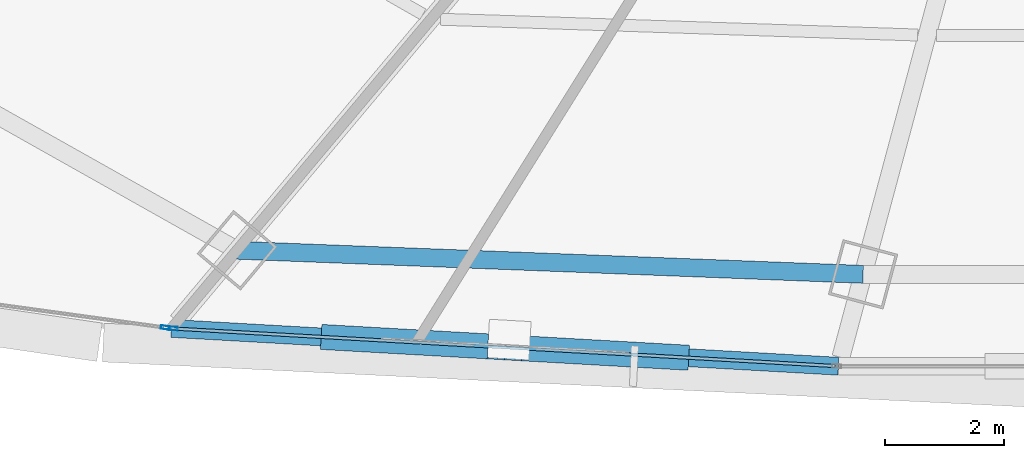
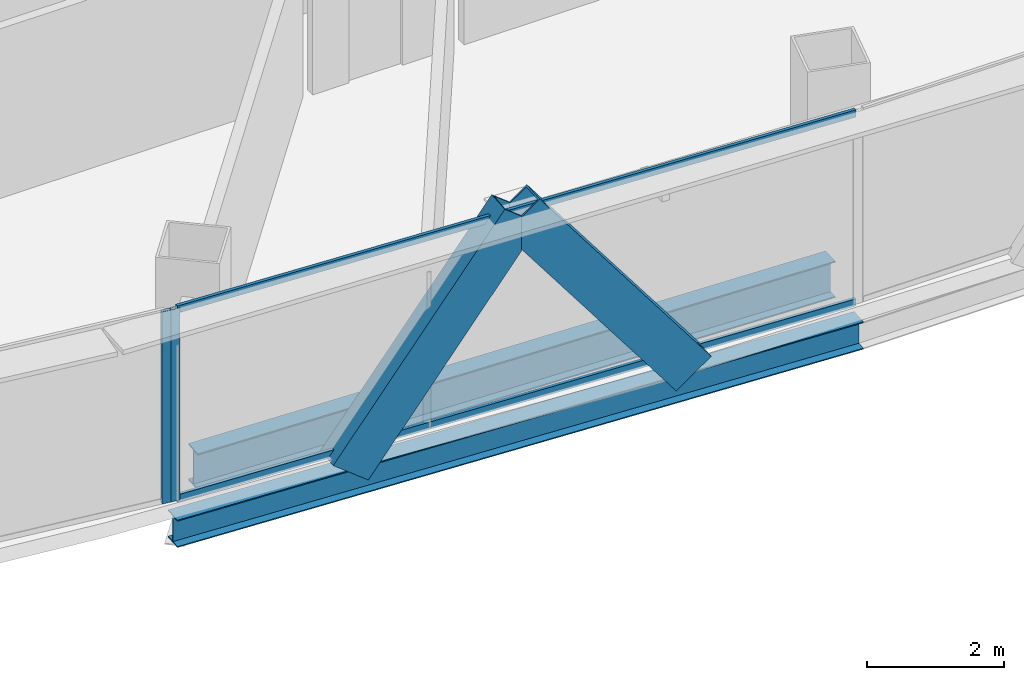
# One storey, part 6 of 39: 6 members, 2 beams, 2 elements without a shape of their own.
"""IFC4 building model written with IfcOpenShell, lengths in metres."""

import ifcopenshell
import ifcopenshell.guid

model = None  # the IFC model being written
_history = None  # IfcOwnerHistory: only IFC2X3 demands one
_inside = {}  # id of a spatial element -> (the spatial element, [elements in it])
_under = {}  # id of a project, library or spatial element -> (it, [spatial elements below it])
_declared = {}  # id of a project -> (the project, [libraries it declares])
_typed = {}  # id of a type object -> (the type object, [elements of that type])
_made_of = {}  # id of a material, layer set ... -> (it, [elements and type objects made of it])


def new_model(schema):
    """Start an empty IFC model of exactly this schema.

    Asked for "IFC4X3", IfcOpenShell would pick the latest addendum, in which some entities
    have other attributes; the version numbers below select the first issue.
    IFC2X3 requires an IfcOwnerHistory on every rooted entity: one is made here for all.
    """
    global model, _history
    if schema == "IFC4X3":
        model = ifcopenshell.file(schema_version=(4, 3, 0, 0))
    else:
        model = ifcopenshell.file(schema=schema)
    _inside.clear()
    _under.clear()
    _declared.clear()
    _typed.clear()
    _made_of.clear()
    _history = None
    if model.schema == "IFC2X3":
        org = make("IfcOrganization", Name="unknown")
        user = make(
            "IfcPersonAndOrganization",
            ThePerson=make("IfcPerson", FamilyName="unknown"),
            TheOrganization=org,
        )
        app = make(
            "IfcApplication",
            ApplicationDeveloper=org,
            Version="unknown",
            ApplicationFullName="unknown",
            ApplicationIdentifier="unknown",
        )
        _history = make(
            "IfcOwnerHistory",
            OwningUser=user,
            OwningApplication=app,
            ChangeAction="ADDED",
            CreationDate=0,
        )
    return model


def make(cls, **values):
    """One entity of the class cls with the attributes given. An attribute that is None is left unset."""
    return model.create_entity(
        cls, **{name: value for name, value in values.items() if value is not None}
    )


def rooted(cls, **values):
    """An entity with a GlobalId (a new one), such as an element, a storey or a relation."""
    return make(cls, GlobalId=ifcopenshell.guid.new(), OwnerHistory=_history, **values)


def si_unit(unit_type, name, prefix=None):
    """IfcSIUnit, for example si_unit("LENGTHUNIT", "METRE", prefix="MILLI")."""
    return make("IfcSIUnit", UnitType=unit_type, Prefix=prefix, Name=name)


def assignment(units):
    """IfcUnitAssignment: the units of a project."""
    return None if units is None else make("IfcUnitAssignment", Units=units)


def point(xyz):
    """IfcCartesianPoint."""
    return None if xyz is None else make("IfcCartesianPoint", Coordinates=xyz)


def direction(xyz):
    """IfcDirection."""
    return None if xyz is None else make("IfcDirection", DirectionRatios=xyz)


def frame(location, z_axis=None, x_axis=None):
    """IfcAxis2Placement3D, a coordinate frame: its origin and axes. An axis left out is left unset."""
    return make(
        "IfcAxis2Placement3D",
        Location=point(location),
        Axis=direction(z_axis),
        RefDirection=direction(x_axis),
    )


def frame_2d(location, x_axis=None):
    """IfcAxis2Placement2D, a coordinate frame in the plane: its origin and x axis."""
    return make(
        "IfcAxis2Placement2D", Location=point(location), RefDirection=direction(x_axis)
    )


def origin():
    """The frame at (0, 0, 0) with its axes left unset."""
    return frame((0.0, 0.0, 0.0))


def origin_2d():
    """The frame at (0, 0) in the plane with its x axis left unset."""
    return frame_2d((0.0, 0.0))


def place(relative_to, where):
    """IfcLocalPlacement: puts the frame where relative to a parent placement (None: the world)."""
    return make(
        "IfcLocalPlacement", PlacementRelTo=relative_to, RelativePlacement=where
    )


def context(
    kind, dimensions, precision=None, world=None, true_north=None, identifier=None
):
    """IfcGeometricRepresentationContext, for example the 3D "Model" context."""
    return make(
        "IfcGeometricRepresentationContext",
        ContextIdentifier=identifier,
        ContextType=kind,
        CoordinateSpaceDimension=dimensions,
        Precision=precision,
        WorldCoordinateSystem=world,
        TrueNorth=true_north,
    )


def subcontext(parent, identifier, kind, view, scale=None):
    """IfcGeometricRepresentationSubContext, for example "Body" below "Model"."""
    return make(
        "IfcGeometricRepresentationSubContext",
        ContextIdentifier=identifier,
        ContextType=kind,
        ParentContext=parent,
        TargetScale=scale,
        TargetView=view,
    )


def project(units=None, contexts=None):
    """IfcProject with its units and contexts."""
    return rooted(
        "IfcProject",
        Name="project",
        RepresentationContexts=contexts,
        UnitsInContext=assignment(units),
    )


def spatial(cls, under=None, at=None, **own):
    """A site, building, storey or space (cls), placed at a placement, below another one or the project."""
    s = rooted(cls, ObjectPlacement=at, **own)
    if under is not None:
        _under.setdefault(under.id(), (under, []))[1].append(s)
    return s


def profile(cls, at=None, kind="AREA", **sizes):
    """A parametric profile (cls). Its sizes go by their IFC names, for example OverallWidth=200.0."""
    return make(cls, ProfileType=kind, Position=at, **sizes)


def hollow_rectangle(**sizes):
    """IfcRectangleHollowProfileDef."""
    return profile("IfcRectangleHollowProfileDef", **sizes)


def i_section(**sizes):
    """IfcIShapeProfileDef."""
    return profile("IfcIShapeProfileDef", **sizes)


def extrude(swept, where, along, depth):
    """IfcExtrudedAreaSolid: the profile swept, set in the frame where, extruded along a direction by depth."""
    return make(
        "IfcExtrudedAreaSolid",
        SweptArea=swept,
        Position=where,
        ExtrudedDirection=direction(along),
        Depth=depth,
    )


def shape(context_of_items, identifier, shape_type, items):
    """IfcShapeRepresentation: the items that make up one representation, for example the "Body"."""
    return make(
        "IfcShapeRepresentation",
        ContextOfItems=context_of_items,
        RepresentationIdentifier=identifier,
        RepresentationType=shape_type,
        Items=items,
    )


def source(mapping_origin, context_of_items, identifier, shape_type, items):
    """IfcRepresentationMap: a shape defined once, which mapped items show again and again."""
    return make(
        "IfcRepresentationMap",
        MappingOrigin=mapping_origin,
        MappedRepresentation=shape(context_of_items, identifier, shape_type, items),
    )


def transform(
    local_origin,
    x_axis=None,
    y_axis=None,
    z_axis=None,
    scale=None,
    scale2=None,
    scale3=None,
    uniform=True,
):
    """IfcCartesianTransformationOperator3D, or its non-uniform kind. x_axis, y_axis, z_axis: its Axis1, 2, 3."""
    if uniform:
        return make(
            "IfcCartesianTransformationOperator3D",
            Axis1=direction(x_axis),
            Axis2=direction(y_axis),
            LocalOrigin=point(local_origin),
            Scale=scale,
            Axis3=direction(z_axis),
        )
    return make(
        "IfcCartesianTransformationOperator3DnonUniform",
        Axis1=direction(x_axis),
        Axis2=direction(y_axis),
        LocalOrigin=point(local_origin),
        Scale=scale,
        Axis3=direction(z_axis),
        Scale2=scale2,
        Scale3=scale3,
    )


def mapped(mapping_source, mapping_target):
    """IfcMappedItem: shows the shape of a source again, moved by a transform."""
    return make(
        "IfcMappedItem", MappingSource=mapping_source, MappingTarget=mapping_target
    )


def material(Name=None, Category=None):
    """IfcMaterial."""
    return make("IfcMaterial", Name=Name, Category=Category)


def layer(
    of_material, thickness, ventilated=None, Name=None, Category=None, Priority=None
):
    """IfcMaterialLayer: one layer of a wall or slab, of a material (None: an air gap)."""
    return make(
        "IfcMaterialLayer",
        Material=of_material,
        LayerThickness=thickness,
        IsVentilated=ventilated,
        Name=Name,
        Category=Category,
        Priority=Priority,
    )


def layer_set(layers, Name=None):
    """IfcMaterialLayerSet."""
    return make("IfcMaterialLayerSet", MaterialLayers=layers, LayerSetName=Name)


def material_profile(
    of_material, cross_section, Name=None, Category=None, Priority=None
):
    """IfcMaterialProfile: a cross section and its material."""
    return make(
        "IfcMaterialProfile",
        Name=Name,
        Material=of_material,
        Profile=cross_section,
        Priority=Priority,
        Category=Category,
    )


def profile_set(profiles, Name=None, composite=None):
    """IfcMaterialProfileSet."""
    return make(
        "IfcMaterialProfileSet",
        Name=Name,
        MaterialProfiles=profiles,
        CompositeProfile=composite,
    )


def made_of(thing, what):
    """Note that an element or type object is made of a material, layer set ...; save() writes the relation."""
    if what is not None:
        _made_of.setdefault(what.id(), (what, []))[1].append(thing)
    return thing


def type_object(cls, material=None, **own):
    """A type object (cls), such as IfcWallType, which elements share."""
    return made_of(rooted(cls, **own), material)


def element(
    cls,
    number,
    at=None,
    inside=None,
    cuts=None,
    type_object=None,
    material=None,
    context=None,
    identifier="Body",
    shape_type=None,
    held_by="IfcProductDefinitionShape",
    body=None,
    shapes=None,
    **own,
):
    """One element of the class cls, such as IfcWall. Its Tag is "e" and its number.

    at: its placement. inside: the storey or other place that contains it. cuts: it is an
    opening in that element (IfcRelVoidsElement). A single representation is given by context,
    identifier, shape_type and body (its items); several are given by shapes. held_by: the class
    of the entity that holds the representations. save() writes the other relations.
    """
    e = rooted(cls, Tag="e%d" % number, ObjectPlacement=at, **own)
    if body is not None:
        shapes = [shape(context, identifier, shape_type, body)]
    if shapes is not None:
        e.Representation = make(held_by, Representations=shapes)
    if inside is not None:
        _inside.setdefault(inside.id(), (inside, []))[1].append(e)
    if cuts is not None:
        rooted(
            "IfcRelVoidsElement", RelatingBuildingElement=cuts, RelatedOpeningElement=e
        )
    if type_object is not None:
        _typed.setdefault(type_object.id(), (type_object, []))[1].append(e)
    return made_of(e, material)


def aggregate(whole, parts):
    """IfcRelAggregates: a whole, such as a stair, and the parts it consists of."""
    return rooted("IfcRelAggregates", RelatingObject=whole, RelatedObjects=parts)


def save(model, path):
    """Write the relations noted so far, then the file.

    IfcRelAggregates (storeys below a building ...), IfcRelContainedInSpatialStructure (elements
    in a storey), IfcRelDefinesByType, IfcRelAssociatesMaterial and IfcRelDeclares: one each for
    every whole, place, type object, material and project.
    """
    for whole, parts in _under.values():
        aggregate(whole, parts)
    for where, things in _inside.values():
        rooted(
            "IfcRelContainedInSpatialStructure",
            RelatedElements=things,
            RelatingStructure=where,
        )
    for kind, things in _typed.values():
        rooted("IfcRelDefinesByType", RelatedObjects=things, RelatingType=kind)
    for what, things in _made_of.values():
        rooted("IfcRelAssociatesMaterial", RelatedObjects=things, RelatingMaterial=what)
    for by, libraries in _declared.values():
        rooted("IfcRelDeclares", RelatingContext=by, RelatedDefinitions=libraries)
    model.write(path)


model = new_model("IFC4")

# Units and contexts
model_context = context("Model", 3, precision=1e-05, world=origin(), true_north=direction((0.0, 1.0)))
body_context = subcontext(model_context, "Body", "Model", "MODEL_VIEW")
ifc_project = project(units=[si_unit("LENGTHUNIT", "METRE"), si_unit("AREAUNIT", "SQUARE_METRE"), si_unit("VOLUMEUNIT", "CUBIC_METRE"), si_unit("PLANEANGLEUNIT", "RADIAN"), si_unit("MASSUNIT", "GRAM", prefix="KILO"), si_unit("THERMODYNAMICTEMPERATUREUNIT", "KELVIN"), si_unit("POWERUNIT", "WATT")], contexts=[model_context])

# Site, building, storey
site_placement = place(None, origin())
site = spatial("IfcSite", under=ifc_project, at=site_placement, CompositionType="ELEMENT")
building_placement = place(site_placement, origin())
building = spatial("IfcBuilding", under=site, at=building_placement, Name="Yunzhuo Pagoda Commons", CompositionType="ELEMENT")
storey_placement = place(building_placement, frame((0.0, 0.0, 148.22998046875)))
storey = spatial("IfcBuildingStorey", under=building, at=storey_placement, Name="L37", CompositionType="ELEMENT", Elevation=148.22998046875)

# Beams
ifc_material_1 = material(Name="Structural steel Q355B", Category="steel")
ifc_material_profile_1 = material_profile(ifc_material_1, i_section(OverallWidth=0.300048828125, OverallDepth=0.64990234375, WebThickness=0.012939453125, FlangeThickness=0.02197265625, at=origin_2d()), Name="Structural steel Q355B")
ifc_profile_set_1 = profile_set([ifc_material_profile_1], Name="Structural steel Q355B")
beam_type_1 = type_object("IfcBeamType", Name="B-RG2 Beam HN 650x300x13x22", PredefinedType="BEAM", material=ifc_profile_set_1)
shared_shape_1 = source(origin(), body_context, "Body", "SweptSolid", [
    extrude(i_section(OverallWidth=0.300048828125, OverallDepth=0.64990234375, WebThickness=0.012939453125, FlangeThickness=0.02197265625, at=origin_2d()), origin(), (0.0, 0.0, 1.0), 10.5078125),
])
beam_1_placement = place(storey_placement, frame((32.414794921875, 15.126220703125, -0.584716796875), z_axis=(0.999258632812, -0.03849915259, 0.0), x_axis=(0.03849915259, 0.999258632812, 0.0)))
element("IfcBeam", 1, at=beam_1_placement, inside=storey, type_object=beam_type_1, Name="L37 column-ring beam 1", PredefinedType="BEAM", context=body_context, shape_type="MappedRepresentation", body=[
    mapped(shared_shape_1, transform((0.0, 0.0, 0.0), scale=1.0)),
])
ifc_material_profile_2 = material_profile(ifc_material_1, i_section(OverallWidth=0.300048828125, OverallDepth=0.488037109375, WebThickness=0.010986328125, FlangeThickness=0.01806640625, at=origin_2d()), Name="Structural steel Q355B")
ifc_profile_set_2 = profile_set([ifc_material_profile_2], Name="Structural steel Q355B")
beam_type_2 = type_object("IfcBeamType", Name="B-SP1 Beam HM 488x300x11x18", PredefinedType="BEAM", material=ifc_profile_set_2)
shared_shape_2 = source(origin(), body_context, "Body", "SweptSolid", [
    extrude(i_section(OverallWidth=0.300048828125, OverallDepth=0.488037109375, WebThickness=0.010986328125, FlangeThickness=0.01806640625, at=origin_2d()), origin(), (0.0, 0.0, 1.0), 11.20556640625),
])
beam_2_placement = place(storey_placement, frame((31.314453125, 13.81494140625, -0.50390625), z_axis=(0.998396692346, -0.056604281746, 0.0), x_axis=(0.056604281746, 0.998396692346, 0.0)))
element("IfcBeam", 2, at=beam_2_placement, inside=storey, type_object=beam_type_2, Name="L37 facade edge spandrel beam F1.1", PredefinedType="BEAM", context=body_context, shape_type="MappedRepresentation", body=[
    mapped(shared_shape_2, transform((0.0, 0.0, 0.0), scale=1.0)),
])

# Members
ifc_material_2 = material(Name="Structural steel Q420B", Category="steel")
ifc_material_profile_3 = material_profile(ifc_material_2, hollow_rectangle(XDim=0.419921875, YDim=0.719970703125, WallThickness=0.028076171875, at=origin_2d()), Name="Structural steel Q420B")
ifc_profile_set_3 = profile_set([ifc_material_profile_3], Name="Structural steel Q420B")
member_type_1 = type_object("IfcMemberType", Name="M-DL1 Brace BOX 720x420x28", PredefinedType="BRACE", material=ifc_profile_set_3)
shared_shape_3 = source(origin(), body_context, "Body", "SweptSolid", [
    extrude(hollow_rectangle(XDim=0.419921875, YDim=0.719970703125, WallThickness=0.028076171875, at=origin_2d()), origin(), (0.0, 0.0, 1.0), 4.625),
])
for number, where, z_axis, x_axis, name in (
    (3, (34.111328125, 13.65625, -0.260009765625), (0.604745460472, -0.034259759414, 0.795681592676), (0.056560845928, 0.998399154, 0.0), "L37 facade diamond brace F1.1L"),
    (4, (39.705078125, 13.339111328125, -0.260009765625), (-0.604744365937, 0.034312485847, 0.795680152563), (-0.056647717242, -0.998394228815, 0.0), "L37 facade diamond brace F1.1R"),
):
    element("IfcMember", number, at=place(storey_placement, frame(where, z_axis=z_axis, x_axis=x_axis)), inside=storey, type_object=member_type_1, Name=name, PredefinedType="BRACE", context=body_context, shape_type="MappedRepresentation", body=[
        mapped(shared_shape_3, transform((0.0, 0.0, 0.0), scale=1.0)),
    ])

# Curtain wall, members
ifc_material_3 = material(Name="Anodized aluminium 6063-T6", Category="aluminium")
ifc_layer = layer(ifc_material_3, 0.14990234375)
ifc_layer_set = layer_set([ifc_layer], Name="Anodized aluminium 6063-T6")
curtain_wall_type = type_object("IfcCurtainWallType", Name="CW-MID Mid-Zone Ribbon Curtain Wall", PredefinedType="NOTDEFINED", material=ifc_layer_set)
curtain_wall_1_placement = place(storey_placement, origin())
curtain_wall_1 = element("IfcCurtainWall", 5, at=curtain_wall_1_placement, inside=storey, type_object=curtain_wall_type, Name="L37 curtain wall CW-L37-F1B2", PredefinedType="NOTDEFINED")
ifc_material_profile_4 = material_profile(ifc_material_3, hollow_rectangle(XDim=0.054931640625, YDim=0.1298828125, WallThickness=0.00341796875, at=origin_2d()), Name="Anodized aluminium 6063-T6")
ifc_profile_set_4 = profile_set([ifc_material_profile_4], Name="Anodized aluminium 6063-T6")
member_type_2 = type_object("IfcMemberType", Name="CW-MID-T Transom RHS 130x55x3.5", PredefinedType="USERDEFINED", material=ifc_profile_set_4)
shared_shape_4 = source(origin(), body_context, "Body", "SweptSolid", [
    extrude(hollow_rectangle(XDim=0.054931640625, YDim=0.1298828125, WallThickness=0.00341796875, at=origin_2d()), origin(), (0.0, 0.0, 1.0), 11.085693359375),
])
member_1_placement = place(storey_placement, frame((31.374267578125, 13.8115234375, 0.027587890625), z_axis=(0.998396965353, -0.056599466205, 0.0), x_axis=(0.056599466205, 0.998396965353, 0.0)))
member_1 = element("IfcMember", 6, at=member_1_placement, type_object=member_type_2, Name="CW transom 1.1", ObjectType="TRANSOM", PredefinedType="USERDEFINED", context=body_context, shape_type="MappedRepresentation", body=[
    mapped(shared_shape_4, transform((0.0, 0.0, 0.0), scale=1.0)),
])
member_2_placement = place(storey_placement, frame((31.374267578125, 13.8115234375, 3.392578125), z_axis=(0.998396965353, -0.056599466205, 0.0), x_axis=(0.056599466205, 0.998396965353, 0.0)))
member_2 = element("IfcMember", 7, at=member_2_placement, type_object=member_type_2, Name="CW transom 1.2", ObjectType="TRANSOM", PredefinedType="USERDEFINED", context=body_context, shape_type="MappedRepresentation", body=[
    mapped(shared_shape_4, transform((0.0, 0.0, 0.0), scale=1.0)),
])
ifc_material_profile_5 = material_profile(ifc_material_3, hollow_rectangle(XDim=0.06005859375, YDim=0.14990234375, WallThickness=0.00390625, at=origin_2d()), Name="Anodized aluminium 6063-T6")
ifc_profile_set_5 = profile_set([ifc_material_profile_5], Name="Anodized aluminium 6063-T6")
member_type_3 = type_object("IfcMemberType", Name="CW-MID-M Mullion RHS 150x60x4", PredefinedType="MULLION", material=ifc_profile_set_5)
shared_shape_5 = source(origin(), body_context, "Body", "SweptSolid", [
    extrude(hollow_rectangle(XDim=0.06005859375, YDim=0.14990234375, WallThickness=0.00390625, at=origin_2d()), origin(), (0.0, 0.0, 1.0), 3.419677734375),
])
member_3_placement = place(storey_placement, frame((31.34423828125, 13.813232421875, 0.000244140625), z_axis=(0.0, 0.0, 1.0), x_axis=(0.056597401536, 0.998397082397, 0.0)))
member_3 = element("IfcMember", 8, at=member_3_placement, type_object=member_type_3, Name="CW mullion 1", PredefinedType="MULLION", context=body_context, shape_type="MappedRepresentation", body=[
    mapped(shared_shape_5, transform((0.0, 0.0, 0.0), scale=1.0)),
])
aggregate(curtain_wall_1, [member_3, member_1, member_2])

# Curtain wall, member
curtain_wall_2_placement = place(storey_placement, origin())
curtain_wall_2 = element("IfcCurtainWall", 9, at=curtain_wall_2_placement, inside=storey, type_object=curtain_wall_type, Name="L37 curtain wall CW-L37-F1B1", PredefinedType="NOTDEFINED")
member_4_placement = place(storey_placement, frame((31.21044921875, 13.8291015625, 0.000244140625), z_axis=(0.0, 0.0, 1.0), x_axis=(0.136220738131, 0.990678510165, 0.0)))
member_4 = element("IfcMember", 10, at=member_4_placement, type_object=member_type_3, Name="CW mullion 2", PredefinedType="MULLION", context=body_context, shape_type="MappedRepresentation", body=[
    mapped(shared_shape_5, transform((0.0, 0.0, 0.0), scale=1.0)),
])
aggregate(curtain_wall_2, [member_4])

save(model, "model.ifc")
